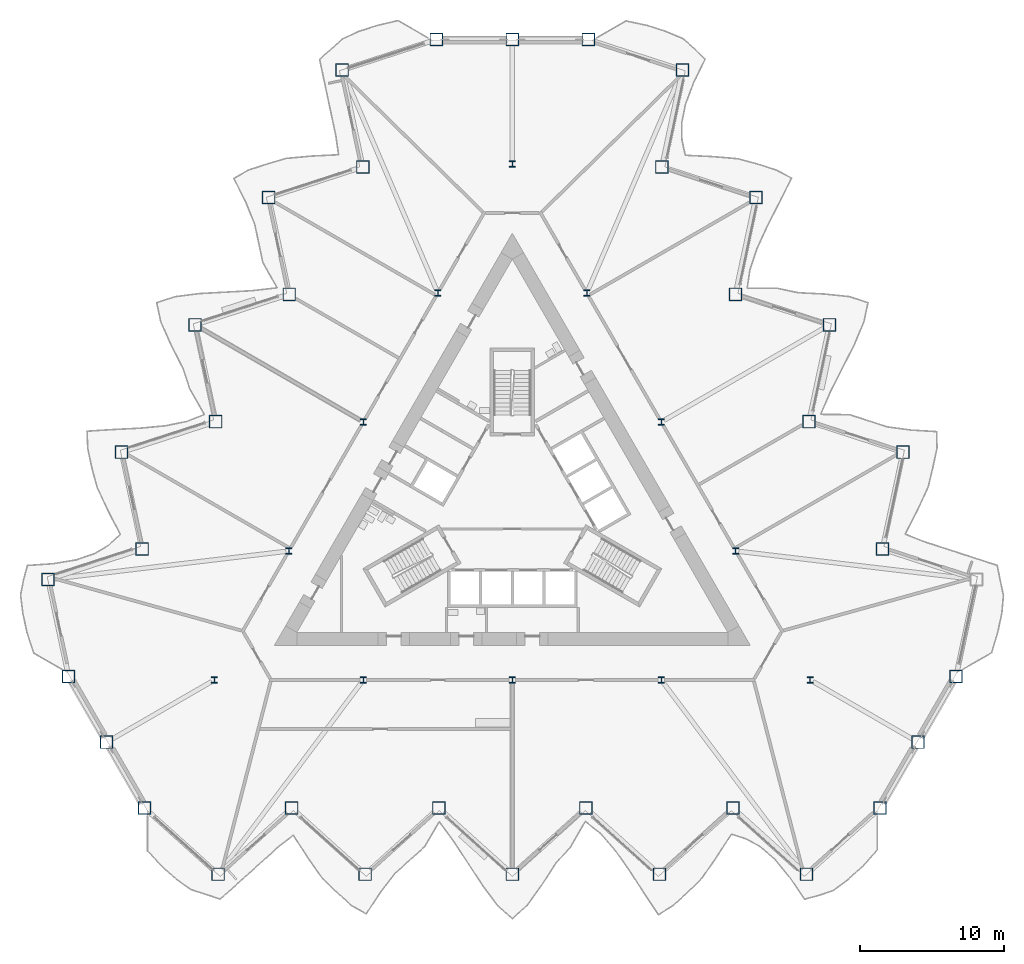
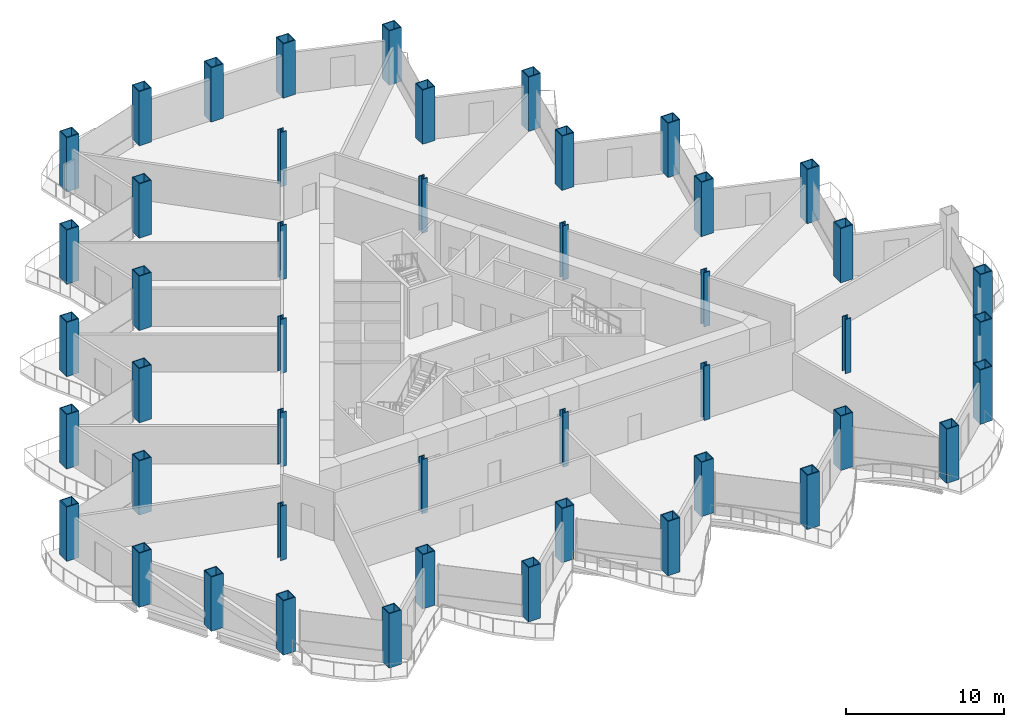
# One storey, part 1 of 21: 47 columns.
"""IFC4 building model written with IfcOpenShell, lengths in metres."""

import ifcopenshell
import ifcopenshell.guid

model = None  # the IFC model being written
_history = None  # IfcOwnerHistory: only IFC2X3 demands one
_inside = {}  # id of a spatial element -> (the spatial element, [elements in it])
_under = {}  # id of a project, library or spatial element -> (it, [spatial elements below it])
_declared = {}  # id of a project -> (the project, [libraries it declares])
_typed = {}  # id of a type object -> (the type object, [elements of that type])
_made_of = {}  # id of a material, layer set ... -> (it, [elements and type objects made of it])


def new_model(schema):
    """Start an empty IFC model of exactly this schema.

    Asked for "IFC4X3", IfcOpenShell would pick the latest addendum, in which some entities
    have other attributes; the version numbers below select the first issue.
    IFC2X3 requires an IfcOwnerHistory on every rooted entity: one is made here for all.
    """
    global model, _history
    if schema == "IFC4X3":
        model = ifcopenshell.file(schema_version=(4, 3, 0, 0))
    else:
        model = ifcopenshell.file(schema=schema)
    _inside.clear()
    _under.clear()
    _declared.clear()
    _typed.clear()
    _made_of.clear()
    _history = None
    if model.schema == "IFC2X3":
        org = make("IfcOrganization", Name="unknown")
        user = make(
            "IfcPersonAndOrganization",
            ThePerson=make("IfcPerson", FamilyName="unknown"),
            TheOrganization=org,
        )
        app = make(
            "IfcApplication",
            ApplicationDeveloper=org,
            Version="unknown",
            ApplicationFullName="unknown",
            ApplicationIdentifier="unknown",
        )
        _history = make(
            "IfcOwnerHistory",
            OwningUser=user,
            OwningApplication=app,
            ChangeAction="ADDED",
            CreationDate=0,
        )
    return model


def make(cls, **values):
    """One entity of the class cls with the attributes given. An attribute that is None is left unset."""
    return model.create_entity(
        cls, **{name: value for name, value in values.items() if value is not None}
    )


def rooted(cls, **values):
    """An entity with a GlobalId (a new one), such as an element, a storey or a relation."""
    return make(cls, GlobalId=ifcopenshell.guid.new(), OwnerHistory=_history, **values)


def si_unit(unit_type, name, prefix=None):
    """IfcSIUnit, for example si_unit("LENGTHUNIT", "METRE", prefix="MILLI")."""
    return make("IfcSIUnit", UnitType=unit_type, Prefix=prefix, Name=name)


def assignment(units):
    """IfcUnitAssignment: the units of a project."""
    return None if units is None else make("IfcUnitAssignment", Units=units)


def point(xyz):
    """IfcCartesianPoint."""
    return None if xyz is None else make("IfcCartesianPoint", Coordinates=xyz)


def direction(xyz):
    """IfcDirection."""
    return None if xyz is None else make("IfcDirection", DirectionRatios=xyz)


def frame(location, z_axis=None, x_axis=None):
    """IfcAxis2Placement3D, a coordinate frame: its origin and axes. An axis left out is left unset."""
    return make(
        "IfcAxis2Placement3D",
        Location=point(location),
        Axis=direction(z_axis),
        RefDirection=direction(x_axis),
    )


def frame_2d(location, x_axis=None):
    """IfcAxis2Placement2D, a coordinate frame in the plane: its origin and x axis."""
    return make(
        "IfcAxis2Placement2D", Location=point(location), RefDirection=direction(x_axis)
    )


def origin():
    """The frame at (0, 0, 0) with its axes left unset."""
    return frame((0.0, 0.0, 0.0))


def origin_2d():
    """The frame at (0, 0) in the plane with its x axis left unset."""
    return frame_2d((0.0, 0.0))


def place(relative_to, where):
    """IfcLocalPlacement: puts the frame where relative to a parent placement (None: the world)."""
    return make(
        "IfcLocalPlacement", PlacementRelTo=relative_to, RelativePlacement=where
    )


def context(
    kind, dimensions, precision=None, world=None, true_north=None, identifier=None
):
    """IfcGeometricRepresentationContext, for example the 3D "Model" context."""
    return make(
        "IfcGeometricRepresentationContext",
        ContextIdentifier=identifier,
        ContextType=kind,
        CoordinateSpaceDimension=dimensions,
        Precision=precision,
        WorldCoordinateSystem=world,
        TrueNorth=true_north,
    )


def subcontext(parent, identifier, kind, view, scale=None):
    """IfcGeometricRepresentationSubContext, for example "Body" below "Model"."""
    return make(
        "IfcGeometricRepresentationSubContext",
        ContextIdentifier=identifier,
        ContextType=kind,
        ParentContext=parent,
        TargetScale=scale,
        TargetView=view,
    )


def project(units=None, contexts=None):
    """IfcProject with its units and contexts."""
    return rooted(
        "IfcProject",
        Name="project",
        RepresentationContexts=contexts,
        UnitsInContext=assignment(units),
    )


def spatial(cls, under=None, at=None, **own):
    """A site, building, storey or space (cls), placed at a placement, below another one or the project."""
    s = rooted(cls, ObjectPlacement=at, **own)
    if under is not None:
        _under.setdefault(under.id(), (under, []))[1].append(s)
    return s


def profile(cls, at=None, kind="AREA", **sizes):
    """A parametric profile (cls). Its sizes go by their IFC names, for example OverallWidth=200.0."""
    return make(cls, ProfileType=kind, Position=at, **sizes)


def hollow_rectangle(**sizes):
    """IfcRectangleHollowProfileDef."""
    return profile("IfcRectangleHollowProfileDef", **sizes)


def i_section(**sizes):
    """IfcIShapeProfileDef."""
    return profile("IfcIShapeProfileDef", **sizes)


def extrude(swept, where, along, depth):
    """IfcExtrudedAreaSolid: the profile swept, set in the frame where, extruded along a direction by depth."""
    return make(
        "IfcExtrudedAreaSolid",
        SweptArea=swept,
        Position=where,
        ExtrudedDirection=direction(along),
        Depth=depth,
    )


def shape(context_of_items, identifier, shape_type, items):
    """IfcShapeRepresentation: the items that make up one representation, for example the "Body"."""
    return make(
        "IfcShapeRepresentation",
        ContextOfItems=context_of_items,
        RepresentationIdentifier=identifier,
        RepresentationType=shape_type,
        Items=items,
    )


def material(Name=None, Category=None):
    """IfcMaterial."""
    return make("IfcMaterial", Name=Name, Category=Category)


def material_profile(
    of_material, cross_section, Name=None, Category=None, Priority=None
):
    """IfcMaterialProfile: a cross section and its material."""
    return make(
        "IfcMaterialProfile",
        Name=Name,
        Material=of_material,
        Profile=cross_section,
        Priority=Priority,
        Category=Category,
    )


def profile_set(profiles, Name=None, composite=None):
    """IfcMaterialProfileSet."""
    return make(
        "IfcMaterialProfileSet",
        Name=Name,
        MaterialProfiles=profiles,
        CompositeProfile=composite,
    )


def made_of(thing, what):
    """Note that an element or type object is made of a material, layer set ...; save() writes the relation."""
    if what is not None:
        _made_of.setdefault(what.id(), (what, []))[1].append(thing)
    return thing


def type_object(cls, material=None, **own):
    """A type object (cls), such as IfcWallType, which elements share."""
    return made_of(rooted(cls, **own), material)


def element(
    cls,
    number,
    at=None,
    inside=None,
    cuts=None,
    type_object=None,
    material=None,
    context=None,
    identifier="Body",
    shape_type=None,
    held_by="IfcProductDefinitionShape",
    body=None,
    shapes=None,
    **own,
):
    """One element of the class cls, such as IfcWall. Its Tag is "e" and its number.

    at: its placement. inside: the storey or other place that contains it. cuts: it is an
    opening in that element (IfcRelVoidsElement). A single representation is given by context,
    identifier, shape_type and body (its items); several are given by shapes. held_by: the class
    of the entity that holds the representations. save() writes the other relations.
    """
    e = rooted(cls, Tag="e%d" % number, ObjectPlacement=at, **own)
    if body is not None:
        shapes = [shape(context, identifier, shape_type, body)]
    if shapes is not None:
        e.Representation = make(held_by, Representations=shapes)
    if inside is not None:
        _inside.setdefault(inside.id(), (inside, []))[1].append(e)
    if cuts is not None:
        rooted(
            "IfcRelVoidsElement", RelatingBuildingElement=cuts, RelatedOpeningElement=e
        )
    if type_object is not None:
        _typed.setdefault(type_object.id(), (type_object, []))[1].append(e)
    return made_of(e, material)


def aggregate(whole, parts):
    """IfcRelAggregates: a whole, such as a stair, and the parts it consists of."""
    return rooted("IfcRelAggregates", RelatingObject=whole, RelatedObjects=parts)


def save(model, path):
    """Write the relations noted so far, then the file.

    IfcRelAggregates (storeys below a building ...), IfcRelContainedInSpatialStructure (elements
    in a storey), IfcRelDefinesByType, IfcRelAssociatesMaterial and IfcRelDeclares: one each for
    every whole, place, type object, material and project.
    """
    for whole, parts in _under.values():
        aggregate(whole, parts)
    for where, things in _inside.values():
        rooted(
            "IfcRelContainedInSpatialStructure",
            RelatedElements=things,
            RelatingStructure=where,
        )
    for kind, things in _typed.values():
        rooted("IfcRelDefinesByType", RelatedObjects=things, RelatingType=kind)
    for what, things in _made_of.values():
        rooted("IfcRelAssociatesMaterial", RelatedObjects=things, RelatingMaterial=what)
    for by, libraries in _declared.values():
        rooted("IfcRelDeclares", RelatingContext=by, RelatedDefinitions=libraries)
    model.write(path)


model = new_model("IFC4")

# Units and contexts
model_context = context("Model", 3, precision=1e-05, world=origin(), true_north=direction((0.0, 1.0)))
body_context = subcontext(model_context, "Body", "Model", "MODEL_VIEW")
ifc_project = project(units=[si_unit("LENGTHUNIT", "METRE"), si_unit("AREAUNIT", "SQUARE_METRE"), si_unit("VOLUMEUNIT", "CUBIC_METRE"), si_unit("PLANEANGLEUNIT", "RADIAN"), si_unit("MASSUNIT", "GRAM", prefix="KILO")], contexts=[model_context])

# Site, building, storey
site_placement = place(None, origin())
site = spatial("IfcSite", under=ifc_project, at=site_placement, CompositionType="ELEMENT")
building_placement = place(site_placement, origin())
building = spatial("IfcBuilding", under=site, at=building_placement, Name="Cormorant Prow Tower", CompositionType="ELEMENT")
storey_placement = place(building_placement, frame((0.0, 0.0, 137.39990234375)))
storey = spatial("IfcBuildingStorey", under=building, at=storey_placement, Name="L29", CompositionType="ELEMENT", Elevation=137.39990234375)

# Columns
ifc_material_1 = material(Name="Structural steel ASTM A572 Gr 50", Category="steel")
ifc_material_profile_1 = material_profile(ifc_material_1, hollow_rectangle(XDim=0.89990234375, YDim=0.89990234375, WallThickness=0.06005859375, at=origin_2d()), Name="Box 900x900x60")
ifc_profile_set_1 = profile_set([ifc_material_profile_1], Name="Structural steel ASTM A572 Gr 50")
column_type_1 = type_object("IfcColumnType", Name="Perimeter box column 900x900x60", PredefinedType="COLUMN", material=ifc_profile_set_1)
for number, where, z_axis, x_axis, name in (
    (1, (-25.499755859375, -20.80712890625, 0.0), (0.0, 0.0, 1.0), (1.0, 0.0, 0.0), "Perimeter column C3 at S00 L29"),
    (2, (-20.399658203125, -25.399169921875, 0.0), (0.0, 0.0, 1.0), (1.0, 0.0, 0.0), "Perimeter column C3 at S01 L29"),
    (3, (-15.2998046875, -20.80712890625, 0.0), (0.0, 0.0, 1.0), (1.0, 0.0, 0.0), "Perimeter column C3 at S02 L29"),
    (4, (-10.199951171875, -25.399169921875, 0.0), (0.0, 0.0, 1.0), (1.0, 0.0, 0.0), "Perimeter column C3 at S03 L29"),
    (5, (-5.099853515625, -20.80712890625, 0.0), (0.0, 0.0, 1.0), (1.0, 0.0, 0.0), "Perimeter column C3 at S04 L29"),
    (6, (0.0, -25.399169921875, 0.0), (0.0, 0.0, 1.0), (1.0, 0.0, 0.0), "Perimeter column C3 at S05 L29"),
    (7, (5.099853515625, -20.80712890625, 0.0), (0.0, 0.0, 1.0), (1.0, 0.0, 0.0), "Perimeter column C3 at S06 L29"),
    (8, (10.199951171875, -25.399169921875, 0.0), (0.0, 0.0, 1.0), (1.0, 0.0, 0.0), "Perimeter column C3 at S07 L29"),
    (9, (15.2998046875, -20.80712890625, 0.0), (0.0, 0.0, 1.0), (1.0, 0.0, 0.0), "Perimeter column C3 at S08 L29"),
    (10, (20.399658203125, -25.399169921875, 0.0), (0.0, 0.0, 1.0), (1.0, 0.0, 0.0), "Perimeter column C3 at S09 L29"),
    (11, (25.499755859375, -20.80712890625, 0.0), (0.0, 0.0, 1.0), (1.0, 0.0, 0.0), "Perimeter column C3 at ESE00 L29"),
    (12, (28.134521484375, -16.243408203125, 0.0), (0.0, 0.0, 1.0), (1.0, 0.0, 0.0), "Perimeter column C3 at ESE01 L29"),
    (13, (30.769287109375, -11.679931640625, 0.0), (0.0, 0.0, 1.0), (1.0, 0.0, 0.0), "Perimeter column C3 at ENE00 L29"),
    (14, (25.66943359375, -2.846435546875, 0.0), (0.0, 0.0, 1.0), (1.0, 0.0, 0.0), "Perimeter column C3 at ENE02 L29"),
    (15, (27.09619140625, 3.8662109375, 0.0), (0.0, 0.0, 1.0), (1.0, 0.0, 0.0), "Perimeter column C3 at ENE03 L29"),
    (16, (20.569580078125, 5.98681640625, 0.0), (0.0, 0.0, 1.0), (1.0, 0.0, 0.0), "Perimeter column C3 at ENE04 L29"),
    (17, (21.996337890625, 12.699462890625, 0.0), (0.0, 0.0, 1.0), (1.0, 0.0, 0.0), "Perimeter column C3 at ENE05 L29"),
    (18, (15.469482421875, 14.8203125, 0.0), (0.0, 0.0, 1.0), (1.0, 0.0, 0.0), "Perimeter column C3 at ENE06 L29"),
    (19, (16.896240234375, 21.532958984375, 0.0), (0.0, 0.0, 1.0), (1.0, 0.0, 0.0), "Perimeter column C3 at ENE07 L29"),
    (20, (10.36962890625, 23.653564453125, 0.0), (0.0, 0.0, 1.0), (1.0, 0.0, 0.0), "Perimeter column C3 at ENE08 L29"),
    (21, (11.79638671875, 30.3662109375, 0.0), (0.0, 0.0, 1.0), (1.0, 0.0, 0.0), "Perimeter column C3 at ENE09 L29"),
    (22, (5.269775390625, 32.487060546875, 0.0), (0.0, 0.0, 1.0), (1.0, 0.0, 0.0), "Perimeter column C3 at N00 L29"),
    (23, (0.0, 32.487060546875, 0.0), (0.0, 0.0, 1.0), (1.0, 0.0, 0.0), "Perimeter column C3 at N01 L29"),
    (24, (-5.269775390625, 32.487060546875, 0.0), (0.0, 0.0, 1.0), (1.0, 0.0, 0.0), "Perimeter column C3 at WNW00 L29"),
    (25, (-11.79638671875, 30.3662109375, 0.0), (0.0, 0.0, 1.0), (1.0, 0.0, 0.0), "Perimeter column C3 at WNW01 L29"),
    (26, (-10.36962890625, 23.653564453125, 0.0), (0.0, 0.0, 1.0), (1.0, 0.0, 0.0), "Perimeter column C3 at WNW02 L29"),
    (27, (-16.896240234375, 21.532958984375, 0.0), (0.0, 0.0, 1.0), (1.0, 0.0, 0.0), "Perimeter column C3 at WNW03 L29"),
    (28, (-15.469482421875, 14.8203125, 0.0), (0.0, 0.0, 1.0), (1.0, 0.0, 0.0), "Perimeter column C3 at WNW04 L29"),
    (29, (-21.996337890625, 12.699462890625, 0.0), (0.0, 0.0, 1.0), (1.0, 0.0, 0.0), "Perimeter column C3 at WNW05 L29"),
    (30, (-20.569580078125, 5.98681640625, 0.0), (0.0, 0.0, 1.0), (1.0, 0.0, 0.0), "Perimeter column C3 at WNW06 L29"),
    (31, (-27.09619140625, 3.8662109375, 0.0), (0.0, 0.0, 1.0), (1.0, 0.0, 0.0), "Perimeter column C3 at WNW07 L29"),
    (32, (-25.66943359375, -2.846435546875, 0.0), (0.0, 0.0, 1.0), (1.0, 0.0, 0.0), "Perimeter column C3 at WNW08 L29"),
    (33, (-32.1962890625, -4.967041015625, 0.0), (0.0, 0.0, 1.0), (1.0, 0.0, 0.0), "Perimeter column C3 at WNW09 L29"),
    (34, (-30.769287109375, -11.679931640625, 0.0), (0.0, 0.0, 1.0), (1.0, 0.0, 0.0), "Perimeter column C3 at WSW00 L29"),
    (35, (-28.134521484375, -16.243408203125, 0.0), (0.0, 0.0, 1.0), (1.0, 0.0, 0.0), "Perimeter column C3 at WSW01 L29"),
):
    element("IfcColumn", number, at=place(storey_placement, frame(where, z_axis=z_axis, x_axis=x_axis)), inside=storey, type_object=column_type_1, Name=name, PredefinedType="COLUMN", context=body_context, shape_type="SweptSolid", body=[
        extrude(hollow_rectangle(XDim=0.89990234375, YDim=0.89990234375, WallThickness=0.06005859375, at=origin_2d()), origin(), (0.0, 0.0, 1.0), 4.2001953125),
    ])
ifc_material_2 = material(Name="Structural steel ASTM A992 Gr 50", Category="steel")
ifc_material_profile_2 = material_profile(ifc_material_2, i_section(OverallWidth=0.412109375, OverallDepth=0.434814453125, WebThickness=0.035888671875, FlangeThickness=0.057373046875, at=origin_2d()), Name="W14x311")
ifc_profile_set_2 = profile_set([ifc_material_profile_2], Name="Structural steel ASTM A992 Gr 50")
column_type_2 = type_object("IfcColumnType", Name="Ring column W14x311", PredefinedType="COLUMN", material=ifc_profile_set_2)
for number, where, z_axis, x_axis, name in (
    (36, (0.0, 23.8525390625, 0.0), (0.0, 0.0, 1.0), (1.0, 0.0, 0.0), "Ring column 1 L29"),
    (37, (-5.164306640625, 14.907958984375, 0.0), (0.0, 0.0, 1.0), (1.0, 0.0, 0.0), "Ring column 2 L29"),
    (38, (-10.328369140625, 5.963134765625, 0.0), (0.0, 0.0, 1.0), (1.0, 0.0, 0.0), "Ring column 3 L29"),
    (39, (-15.49267578125, -2.981689453125, 0.0), (0.0, 0.0, 1.0), (1.0, 0.0, 0.0), "Ring column 4 L29"),
    (40, (-20.656982421875, -11.92626953125, 0.0), (0.0, 0.0, 1.0), (1.0, 0.0, 0.0), "Ring column 5 L29"),
    (41, (-10.328369140625, -11.92626953125, 0.0), (0.0, 0.0, 1.0), (1.0, 0.0, 0.0), "Ring column 6 L29"),
    (42, (0.0, -11.92626953125, 0.0), (0.0, 0.0, 1.0), (1.0, 0.0, 0.0), "Ring column 7 L29"),
    (43, (10.328369140625, -11.92626953125, 0.0), (0.0, 0.0, 1.0), (1.0, 0.0, 0.0), "Ring column 8 L29"),
    (44, (20.656982421875, -11.92626953125, 0.0), (0.0, 0.0, 1.0), (1.0, 0.0, 0.0), "Ring column 9 L29"),
    (45, (15.49267578125, -2.981689453125, 0.0), (0.0, 0.0, 1.0), (1.0, 0.0, 0.0), "Ring column 10 L29"),
    (46, (10.328369140625, 5.963134765625, 0.0), (0.0, 0.0, 1.0), (1.0, 0.0, 0.0), "Ring column 11 L29"),
    (47, (5.164306640625, 14.907958984375, 0.0), (0.0, 0.0, 1.0), (1.0, 0.0, 0.0), "Ring column 12 L29"),
):
    element("IfcColumn", number, at=place(storey_placement, frame(where, z_axis=z_axis, x_axis=x_axis)), inside=storey, type_object=column_type_2, Name=name, PredefinedType="COLUMN", context=body_context, shape_type="SweptSolid", body=[
        extrude(i_section(OverallWidth=0.412109375, OverallDepth=0.434814453125, WebThickness=0.035888671875, FlangeThickness=0.057373046875, at=origin_2d()), origin(), (0.0, 0.0, 1.0), 4.2001953125),
    ])

save(model, "model.ifc")
